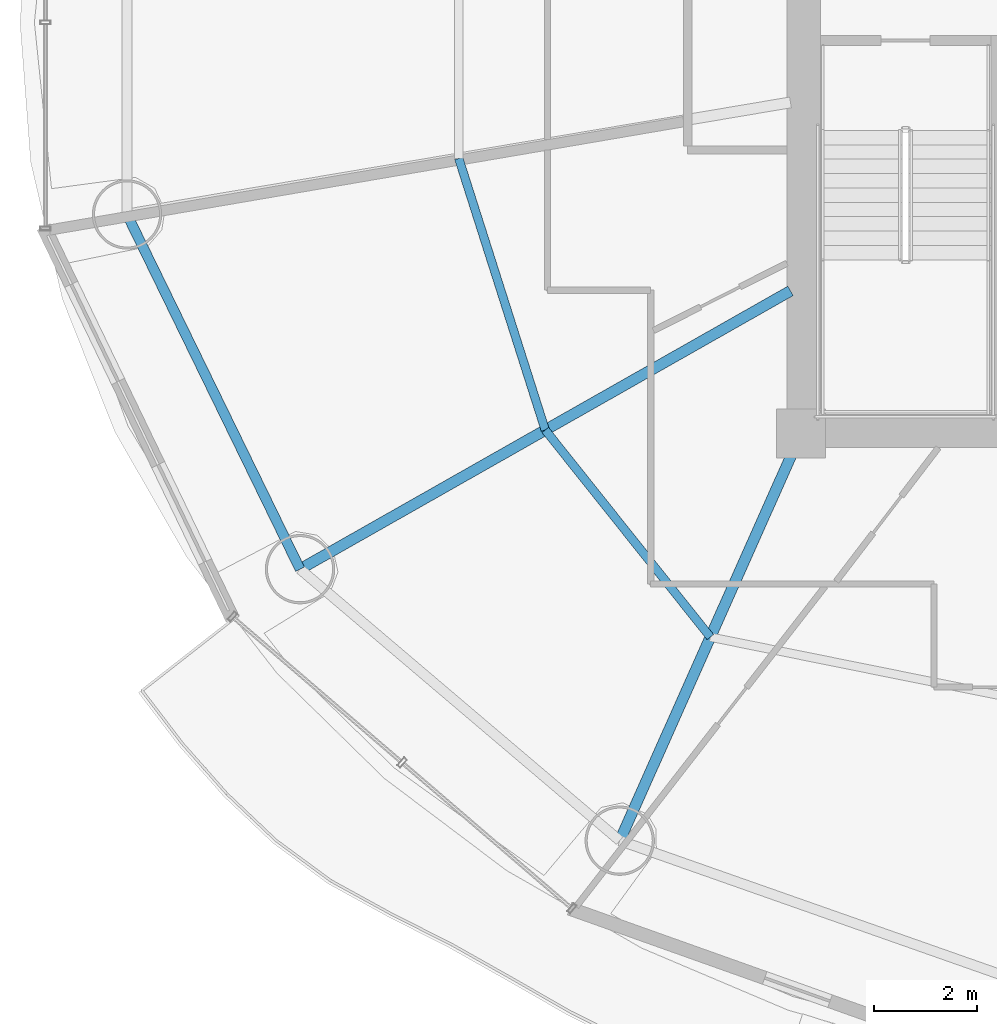
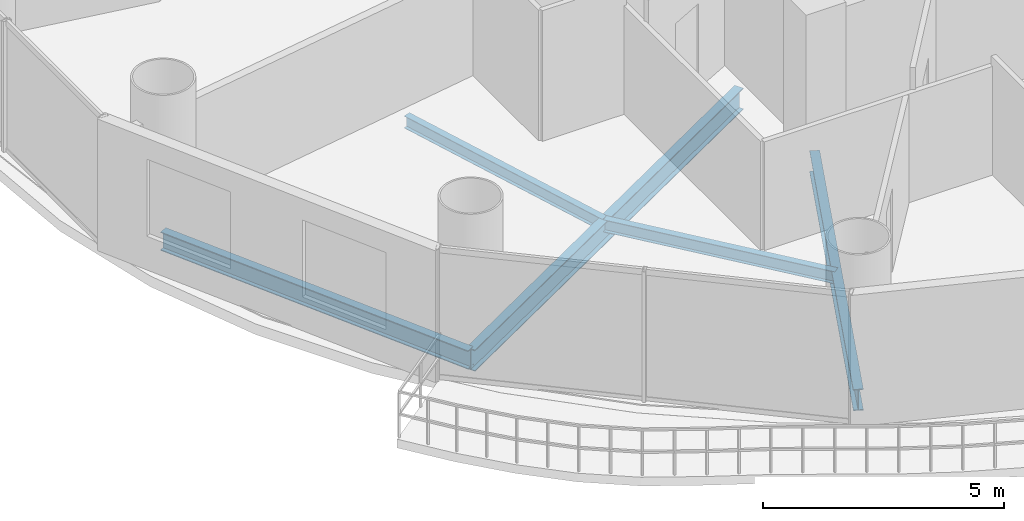
# One storey, part 3 of 26: 5 beams.
"""IFC4 building model written with IfcOpenShell, lengths in metres."""

from ifc_helpers import new_model, si_unit, direction, frame, origin, origin_2d, place, context, subcontext, project, spatial, i_section, extrude, material, material_profile, profile_set, type_object, element, save


model = new_model("IFC4")

# Units and contexts
model_context = context("Model", 3, precision=1e-05, world=origin(), true_north=direction((-0.2419218956, 0.970295726276)))
body_context = subcontext(model_context, "Body", "Model", "MODEL_VIEW")
ifc_project = project(units=[si_unit("LENGTHUNIT", "METRE"), si_unit("AREAUNIT", "SQUARE_METRE"), si_unit("VOLUMEUNIT", "CUBIC_METRE"), si_unit("PLANEANGLEUNIT", "RADIAN"), si_unit("MASSUNIT", "GRAM", prefix="KILO")], contexts=[model_context])

# Site, building, storey
site_placement = place(None, origin())
site = spatial("IfcSite", under=ifc_project, at=site_placement, CompositionType="ELEMENT")
building_placement = place(site_placement, origin())
building = spatial("IfcBuilding", under=site, at=building_placement, Name="Cobrevalo Terracotta Tower", CompositionType="ELEMENT")
storey_placement = place(building_placement, frame((0.0, 0.0, 139.0)))
storey = spatial("IfcBuildingStorey", under=building, at=storey_placement, Name="L36", CompositionType="ELEMENT", Elevation=139.0)

# Beams
ifc_material = material(Name="Steel S355", Category="steel")
ifc_material_profile_1 = material_profile(ifc_material, i_section(OverallWidth=0.2109375, OverallDepth=0.5390625, WebThickness=0.01171875, FlangeThickness=0.018798828125, at=origin_2d()), Name="W 530x109")
ifc_profile_set_1 = profile_set([ifc_material_profile_1], Name="Steel S355")
beam_type_1 = type_object("IfcBeamType", Name="Structural Beam W 530x109 (Steel S355)", PredefinedType="BEAM", material=ifc_profile_set_1)
beam_1_placement = place(storey_placement, frame((19.250244140625, 16.160888671875, -0.53955078125), z_axis=(0.869743726706, 0.493503647257, 0.0), x_axis=(-0.493503647257, 0.869743726706, 0.0)))
element("IfcBeam", 1, at=beam_1_placement, inside=storey, type_object=beam_type_1, Name="L36 radial floor girder 10", PredefinedType="BEAM", context=body_context, shape_type="SweptSolid", body=[
    extrude(i_section(OverallWidth=0.2109375, OverallDepth=0.5390625, WebThickness=0.01171875, FlangeThickness=0.018798828125, at=origin_2d()), origin(), (0.0, 0.0, 1.0), 10.97412109375),
])
beam_2_placement = place(storey_placement, frame((25.471923828125, 10.87744140625, -0.53955078125), z_axis=(0.406804395691, 0.913515289224, 0.0), x_axis=(-0.913515289224, 0.406804395691, 0.0)))
element("IfcBeam", 2, at=beam_2_placement, inside=storey, type_object=beam_type_1, Name="L36 radial floor girder 11", PredefinedType="BEAM", context=body_context, shape_type="SweptSolid", body=[
    extrude(i_section(OverallWidth=0.2109375, OverallDepth=0.5390625, WebThickness=0.01171875, FlangeThickness=0.018798828125, at=origin_2d()), origin(), (0.0, 0.0, 1.0), 8.672607421875),
])
ifc_material_profile_2 = material_profile(ifc_material, i_section(OverallWidth=0.1650390625, OverallDepth=0.31005859375, WebThickness=0.005859375, FlangeThickness=0.009765625, at=origin_2d()), Name="W 310x38.7")
ifc_profile_set_2 = profile_set([ifc_material_profile_2], Name="Steel S355")
beam_type_2 = type_object("IfcBeamType", Name="Structural Joist W 310x38.7 (Steel S355)", PredefinedType="JOIST", material=ifc_profile_set_2)
beam_3_placement = place(storey_placement, frame((22.339111328125, 24.154541015625, -0.425048828125), z_axis=(0.303497928386, -0.952832098255, 0.0), x_axis=(0.952832098255, 0.303497928386, 0.0)))
element("IfcBeam", 3, at=beam_3_placement, inside=storey, type_object=beam_type_2, Name="L36 circumferential secondary floor joist 09", PredefinedType="JOIST", context=body_context, shape_type="SweptSolid", body=[
    extrude(i_section(OverallWidth=0.1650390625, OverallDepth=0.31005859375, WebThickness=0.005859375, FlangeThickness=0.009765625, at=origin_2d()), origin(), (0.0, 0.0, 1.0), 5.54736328125),
])
beam_4_placement = place(storey_placement, frame((24.022705078125, 18.868896484375, -0.425048828125), z_axis=(0.623382939397, -0.781916690492, 0.0), x_axis=(0.781916690492, 0.623382939397, 0.0)))
element("IfcBeam", 4, at=beam_4_placement, inside=storey, type_object=beam_type_2, Name="L36 circumferential secondary floor joist 10", PredefinedType="JOIST", context=body_context, shape_type="SweptSolid", body=[
    extrude(i_section(OverallWidth=0.1650390625, OverallDepth=0.31005859375, WebThickness=0.005859375, FlangeThickness=0.009765625, at=origin_2d()), origin(), (0.0, 0.0, 1.0), 5.154296875),
])
ifc_material_profile_3 = material_profile(ifc_material, i_section(OverallWidth=0.194091796875, OverallDepth=0.468994140625, WebThickness=0.011474609375, FlangeThickness=0.0205078125, at=origin_2d()), Name="W 460x106")
ifc_profile_set_3 = profile_set([ifc_material_profile_3], Name="Steel S355")
beam_type_3 = type_object("IfcBeamType", Name="Structural Spandrel W 460x106 (Steel S355)", PredefinedType="SPANDREL", material=ifc_profile_set_3)
beam_5_placement = place(storey_placement, frame((15.88330078125, 23.06396484375, -0.50439453125), z_axis=(0.438380418332, -0.898789524206, 0.0), x_axis=(0.898789524206, 0.438380418332, 0.0)))
element("IfcBeam", 5, at=beam_5_placement, inside=storey, type_object=beam_type_3, Name="L36 perimeter ring spandrel 09", PredefinedType="SPANDREL", context=body_context, shape_type="SweptSolid", body=[
    extrude(i_section(OverallWidth=0.194091796875, OverallDepth=0.468994140625, WebThickness=0.011474609375, FlangeThickness=0.0205078125, at=origin_2d()), origin(), (0.0, 0.0, 1.0), 7.680419921875),
])

save(model, "model.ifc")
